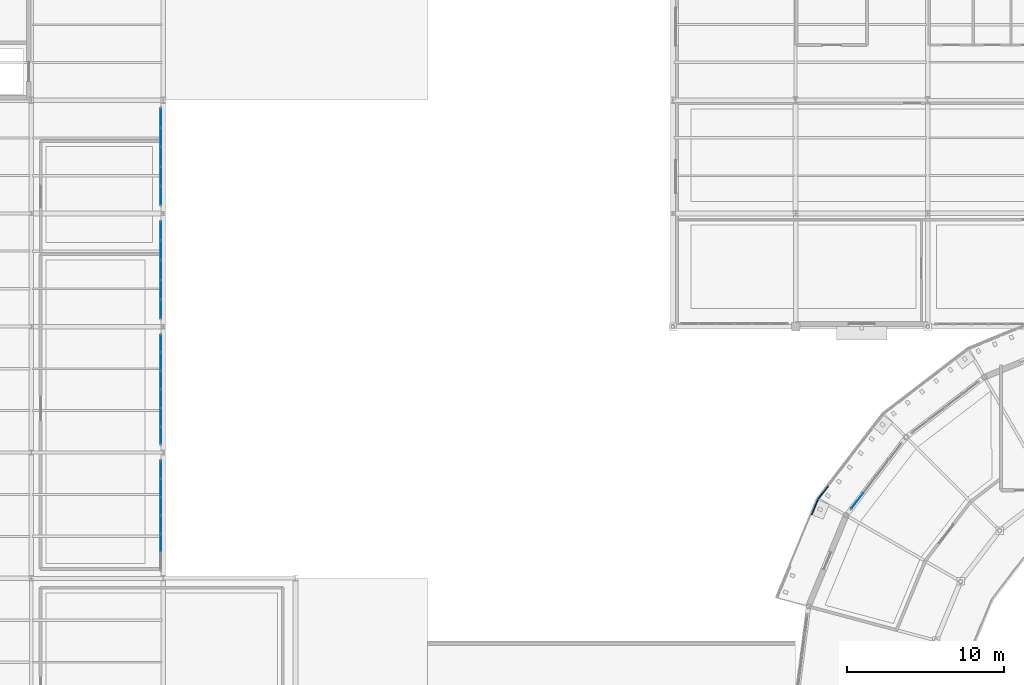
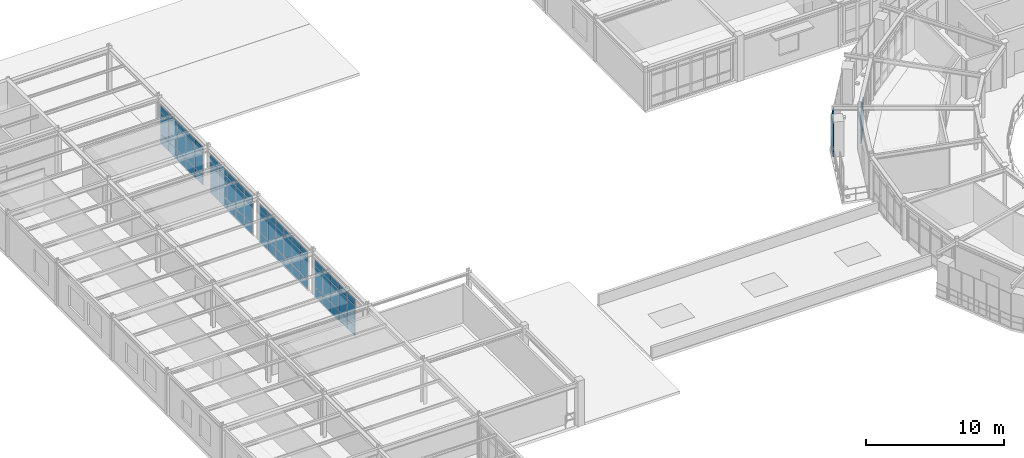
# One storey, part 45 of 70: 68 plates, 5 elements without a shape of their own.
"""IFC4 building model written with IfcOpenShell, lengths in metres."""

from ifc_helpers import new_model, si_unit, derived_unit, direction, frame, origin, origin_2d, place, context, subcontext, project, spatial, rectangle, extrude, material, layer, layer_set, type_object, element, aggregate, save


model = new_model("IFC4")

# Units and contexts
model_context = context("Model", 3, precision=1e-05, world=origin(), true_north=direction((0.0, 1.0)))
body_context = subcontext(model_context, "Body", "Model", "MODEL_VIEW")
ifc_project = project(units=[si_unit("LENGTHUNIT", "METRE"), si_unit("AREAUNIT", "SQUARE_METRE"), si_unit("VOLUMEUNIT", "CUBIC_METRE"), si_unit("PLANEANGLEUNIT", "RADIAN"), si_unit("MASSUNIT", "GRAM", prefix="KILO"), derived_unit("THERMALTRANSMITTANCEUNIT", [(si_unit("POWERUNIT", "WATT"), 1), (si_unit("AREAUNIT", "SQUARE_METRE"), -1), (si_unit("THERMODYNAMICTEMPERATUREUNIT", "KELVIN"), -1)])], contexts=[model_context])

# Site, building, storey
site_placement = place(None, origin())
site = spatial("IfcSite", under=ifc_project, at=site_placement, CompositionType="ELEMENT")
building_placement = place(site_placement, origin())
building = spatial("IfcBuilding", under=site, at=building_placement, Name="Yasenodar Specialist Clinic", CompositionType="ELEMENT")
storey_placement = place(building_placement, frame((0.0, 0.0, 13.199951171875)))
storey = spatial("IfcBuildingStorey", under=building, at=storey_placement, Name="L03", CompositionType="ELEMENT", Elevation=13.199951171875)

# Curtain wall, plates
ifc_material_1 = material(Name="Bronze Anodized Aluminium and Triple Low-E Glass", Category="aluminium")
ifc_layer_1 = layer(ifc_material_1, 0.202880859375)
ifc_layer_set_1 = layer_set([ifc_layer_1], Name="Bronze Anodized Aluminium and Triple Low-E Glass")
curtain_wall_type_1 = type_object("IfcCurtainWallType", Name="CW-SYS-04", PredefinedType="USERDEFINED", material=ifc_layer_set_1)
curtain_wall_1_placement = place(storey_placement, origin())
curtain_wall_1 = element("IfcCurtainWall", 1, at=curtain_wall_1_placement, inside=storey, type_object=curtain_wall_type_1, Name="L03 Unitised Curtain Wall 132", ObjectType="UNITISED CURTAIN WALL", PredefinedType="USERDEFINED")
ifc_material_2 = material(Name="Triple Low-E Argon Glazing", Category="glass")
ifc_layer_2 = layer(ifc_material_2, 0.028076171875)
ifc_layer_set_2 = layer_set([ifc_layer_2], Name="Triple Low-E Argon Glazing")
plate_type_1 = type_object("IfcPlateType", Name="CW-PAN-1", PredefinedType="CURTAIN_PANEL", material=ifc_layer_set_2)
plate_1_placement = place(storey_placement, frame((16.64990234375, 88.881103515625, 0.06005859375), z_axis=(0.0, 0.0, 1.0), x_axis=(0.0, -1.0, 0.0)))
plate_1 = element("IfcPlate", 2, at=plate_1_placement, type_object=plate_type_1, Name="CW-04 panel 1.1", PredefinedType="CURTAIN_PANEL", context=body_context, shape_type="SweptSolid", body=[
    extrude(rectangle(XDim=1.157958984375, YDim=0.028076171875, at=origin_2d()), origin(), (0.0, 0.0, 1.0), 0.81005859375),
])
plate_2_placement = place(storey_placement, frame((16.64990234375, 88.881103515625, 0.93017578125), z_axis=(0.0, 0.0, 1.0), x_axis=(0.0, -1.0, 0.0)))
plate_2 = element("IfcPlate", 3, at=plate_2_placement, type_object=plate_type_1, Name="CW-04 panel 1.2", PredefinedType="CURTAIN_PANEL", context=body_context, shape_type="SweptSolid", body=[
    extrude(rectangle(XDim=1.157958984375, YDim=0.028076171875, at=origin_2d()), origin(), (0.0, 0.0, 1.0), 1.91796875),
])
plate_3_placement = place(storey_placement, frame((16.64990234375, 88.881103515625, 2.908203125), z_axis=(0.0, 0.0, 1.0), x_axis=(0.0, -1.0, 0.0)))
plate_3 = element("IfcPlate", 4, at=plate_3_placement, type_object=plate_type_1, Name="CW-04 panel 1.3", PredefinedType="CURTAIN_PANEL", context=body_context, shape_type="SweptSolid", body=[
    extrude(rectangle(XDim=1.157958984375, YDim=0.028076171875, at=origin_2d()), origin(), (0.0, 0.0, 1.0), 0.510009765625),
])
plate_4_placement = place(storey_placement, frame((16.64990234375, 87.64794921875, 0.06005859375), z_axis=(0.0, 0.0, 1.0), x_axis=(0.0, -1.0, 0.0)))
plate_4 = element("IfcPlate", 5, at=plate_4_placement, type_object=plate_type_1, Name="CW-04 panel 2.1", PredefinedType="CURTAIN_PANEL", context=body_context, shape_type="SweptSolid", body=[
    extrude(rectangle(XDim=1.18798828125, YDim=0.028076171875, at=origin_2d()), origin(), (0.0, 0.0, 1.0), 0.81005859375),
])
plate_5_placement = place(storey_placement, frame((16.64990234375, 87.64794921875, 0.93017578125), z_axis=(0.0, 0.0, 1.0), x_axis=(0.0, -1.0, 0.0)))
plate_5 = element("IfcPlate", 6, at=plate_5_placement, type_object=plate_type_1, Name="CW-04 panel 2.2", PredefinedType="CURTAIN_PANEL", context=body_context, shape_type="SweptSolid", body=[
    extrude(rectangle(XDim=1.18798828125, YDim=0.028076171875, at=origin_2d()), origin(), (0.0, 0.0, 1.0), 1.91796875),
])
plate_6_placement = place(storey_placement, frame((16.64990234375, 87.64794921875, 2.908203125), z_axis=(0.0, 0.0, 1.0), x_axis=(0.0, -1.0, 0.0)))
plate_6 = element("IfcPlate", 7, at=plate_6_placement, type_object=plate_type_1, Name="CW-04 panel 2.3", PredefinedType="CURTAIN_PANEL", context=body_context, shape_type="SweptSolid", body=[
    extrude(rectangle(XDim=1.18798828125, YDim=0.028076171875, at=origin_2d()), origin(), (0.0, 0.0, 1.0), 0.510009765625),
])
plate_7_placement = place(storey_placement, frame((16.64990234375, 86.39990234375, 0.06005859375), z_axis=(0.0, 0.0, 1.0), x_axis=(0.0, -1.0, 0.0)))
plate_7 = element("IfcPlate", 8, at=plate_7_placement, type_object=plate_type_1, Name="CW-04 panel 3.1", PredefinedType="CURTAIN_PANEL", context=body_context, shape_type="SweptSolid", body=[
    extrude(rectangle(XDim=1.18798828125, YDim=0.028076171875, at=origin_2d()), origin(), (0.0, 0.0, 1.0), 0.81005859375),
])
plate_8_placement = place(storey_placement, frame((16.64990234375, 86.39990234375, 0.93017578125), z_axis=(0.0, 0.0, 1.0), x_axis=(0.0, -1.0, 0.0)))
plate_8 = element("IfcPlate", 9, at=plate_8_placement, type_object=plate_type_1, Name="CW-04 panel 3.2", PredefinedType="CURTAIN_PANEL", context=body_context, shape_type="SweptSolid", body=[
    extrude(rectangle(XDim=1.18798828125, YDim=0.028076171875, at=origin_2d()), origin(), (0.0, 0.0, 1.0), 1.91796875),
])
plate_9_placement = place(storey_placement, frame((16.64990234375, 86.39990234375, 2.908203125), z_axis=(0.0, 0.0, 1.0), x_axis=(0.0, -1.0, 0.0)))
plate_9 = element("IfcPlate", 10, at=plate_9_placement, type_object=plate_type_1, Name="CW-04 panel 3.3", PredefinedType="CURTAIN_PANEL", context=body_context, shape_type="SweptSolid", body=[
    extrude(rectangle(XDim=1.18798828125, YDim=0.028076171875, at=origin_2d()), origin(), (0.0, 0.0, 1.0), 0.510009765625),
])
plate_10_placement = place(storey_placement, frame((16.64990234375, 85.152099609375, 0.06005859375), z_axis=(0.0, 0.0, 1.0), x_axis=(0.0, -1.0, 0.0)))
plate_10 = element("IfcPlate", 11, at=plate_10_placement, type_object=plate_type_1, Name="CW-04 panel 4.1", PredefinedType="CURTAIN_PANEL", context=body_context, shape_type="SweptSolid", body=[
    extrude(rectangle(XDim=1.18798828125, YDim=0.028076171875, at=origin_2d()), origin(), (0.0, 0.0, 1.0), 0.81005859375),
])
plate_11_placement = place(storey_placement, frame((16.64990234375, 85.152099609375, 0.93017578125), z_axis=(0.0, 0.0, 1.0), x_axis=(0.0, -1.0, 0.0)))
plate_11 = element("IfcPlate", 12, at=plate_11_placement, type_object=plate_type_1, Name="CW-04 panel 4.2", PredefinedType="CURTAIN_PANEL", context=body_context, shape_type="SweptSolid", body=[
    extrude(rectangle(XDim=1.18798828125, YDim=0.028076171875, at=origin_2d()), origin(), (0.0, 0.0, 1.0), 1.91796875),
])
plate_12_placement = place(storey_placement, frame((16.64990234375, 85.152099609375, 2.908203125), z_axis=(0.0, 0.0, 1.0), x_axis=(0.0, -1.0, 0.0)))
plate_12 = element("IfcPlate", 13, at=plate_12_placement, type_object=plate_type_1, Name="CW-04 panel 4.3", PredefinedType="CURTAIN_PANEL", context=body_context, shape_type="SweptSolid", body=[
    extrude(rectangle(XDim=1.18798828125, YDim=0.028076171875, at=origin_2d()), origin(), (0.0, 0.0, 1.0), 0.510009765625),
])
plate_13_placement = place(storey_placement, frame((16.64990234375, 83.9189453125, 0.06005859375), z_axis=(0.0, 0.0, 1.0), x_axis=(0.0, -1.0, 0.0)))
plate_13 = element("IfcPlate", 14, at=plate_13_placement, type_object=plate_type_1, Name="CW-04 panel 5.1", PredefinedType="CURTAIN_PANEL", context=body_context, shape_type="SweptSolid", body=[
    extrude(rectangle(XDim=1.157958984375, YDim=0.028076171875, at=origin_2d()), origin(), (0.0, 0.0, 1.0), 0.81005859375),
])
plate_14_placement = place(storey_placement, frame((16.64990234375, 83.9189453125, 0.93017578125), z_axis=(0.0, 0.0, 1.0), x_axis=(0.0, -1.0, 0.0)))
plate_14 = element("IfcPlate", 15, at=plate_14_placement, type_object=plate_type_1, Name="CW-04 panel 5.2", PredefinedType="CURTAIN_PANEL", context=body_context, shape_type="SweptSolid", body=[
    extrude(rectangle(XDim=1.157958984375, YDim=0.028076171875, at=origin_2d()), origin(), (0.0, 0.0, 1.0), 1.91796875),
])
plate_15_placement = place(storey_placement, frame((16.64990234375, 83.9189453125, 2.908203125), z_axis=(0.0, 0.0, 1.0), x_axis=(0.0, -1.0, 0.0)))
plate_15 = element("IfcPlate", 16, at=plate_15_placement, type_object=plate_type_1, Name="CW-04 panel 5.3", PredefinedType="CURTAIN_PANEL", context=body_context, shape_type="SweptSolid", body=[
    extrude(rectangle(XDim=1.157958984375, YDim=0.028076171875, at=origin_2d()), origin(), (0.0, 0.0, 1.0), 0.510009765625),
])
aggregate(curtain_wall_1, [plate_1, plate_2, plate_3, plate_4, plate_5, plate_6, plate_7, plate_8, plate_9, plate_10, plate_11, plate_12, plate_13, plate_14, plate_15])

curtain_wall_2_placement = place(storey_placement, origin())
curtain_wall_2 = element("IfcCurtainWall", 17, at=curtain_wall_2_placement, inside=storey, type_object=curtain_wall_type_1, Name="L03 Unitised Curtain Wall 133", ObjectType="UNITISED CURTAIN WALL", PredefinedType="USERDEFINED")
ifc_layer_3 = layer(ifc_material_2, 0.033935546875)
ifc_layer_set_3 = layer_set([ifc_layer_3], Name="Triple Low-E Argon Glazing")
plate_type_2 = type_object("IfcPlateType", Name="CW-PAN-2", PredefinedType="CURTAIN_PANEL", material=ifc_layer_set_3)
plate_16_placement = place(storey_placement, frame((16.64990234375, 81.71826171875, 0.06005859375), z_axis=(0.0, 0.0, 1.0), x_axis=(0.0, -1.0, 0.0)))
plate_16 = element("IfcPlate", 18, at=plate_16_placement, type_object=plate_type_2, Name="CW-04 panel 1.1", PredefinedType="CURTAIN_PANEL", context=body_context, shape_type="SweptSolid", body=[
    extrude(rectangle(XDim=1.083251953125, YDim=0.033935546875, at=origin_2d()), origin(), (0.0, 0.0, 1.0), 0.81005859375),
])
plate_17_placement = place(storey_placement, frame((16.64990234375, 81.71826171875, 0.93017578125), z_axis=(0.0, 0.0, 1.0), x_axis=(0.0, -1.0, 0.0)))
plate_17 = element("IfcPlate", 19, at=plate_17_placement, type_object=plate_type_2, Name="CW-04 panel 1.2", PredefinedType="CURTAIN_PANEL", context=body_context, shape_type="SweptSolid", body=[
    extrude(rectangle(XDim=1.083251953125, YDim=0.033935546875, at=origin_2d()), origin(), (0.0, 0.0, 1.0), 1.8779296875),
])
plate_18_placement = place(storey_placement, frame((16.64990234375, 81.71826171875, 2.8681640625), z_axis=(0.0, 0.0, 1.0), x_axis=(0.0, -1.0, 0.0)))
plate_18 = element("IfcPlate", 20, at=plate_18_placement, type_object=plate_type_2, Name="CW-04 panel 1.3", PredefinedType="CURTAIN_PANEL", context=body_context, shape_type="SweptSolid", body=[
    extrude(rectangle(XDim=1.083251953125, YDim=0.033935546875, at=origin_2d()), origin(), (0.0, 0.0, 1.0), 0.510009765625),
])
plate_19_placement = place(storey_placement, frame((16.64990234375, 80.56005859375, 0.06005859375), z_axis=(0.0, 0.0, 1.0), x_axis=(0.0, -1.0, 0.0)))
plate_19 = element("IfcPlate", 21, at=plate_19_placement, type_object=plate_type_2, Name="CW-04 panel 2.1", PredefinedType="CURTAIN_PANEL", context=body_context, shape_type="SweptSolid", body=[
    extrude(rectangle(XDim=1.11328125, YDim=0.033935546875, at=origin_2d()), origin(), (0.0, 0.0, 1.0), 0.81005859375),
])
plate_20_placement = place(storey_placement, frame((16.64990234375, 80.56005859375, 0.93017578125), z_axis=(0.0, 0.0, 1.0), x_axis=(0.0, -1.0, 0.0)))
plate_20 = element("IfcPlate", 22, at=plate_20_placement, type_object=plate_type_2, Name="CW-04 panel 2.2", PredefinedType="CURTAIN_PANEL", context=body_context, shape_type="SweptSolid", body=[
    extrude(rectangle(XDim=1.11328125, YDim=0.033935546875, at=origin_2d()), origin(), (0.0, 0.0, 1.0), 1.8779296875),
])
plate_21_placement = place(storey_placement, frame((16.64990234375, 80.56005859375, 2.8681640625), z_axis=(0.0, 0.0, 1.0), x_axis=(0.0, -1.0, 0.0)))
plate_21 = element("IfcPlate", 23, at=plate_21_placement, type_object=plate_type_2, Name="CW-04 panel 2.3", PredefinedType="CURTAIN_PANEL", context=body_context, shape_type="SweptSolid", body=[
    extrude(rectangle(XDim=1.11328125, YDim=0.033935546875, at=origin_2d()), origin(), (0.0, 0.0, 1.0), 0.510009765625),
])
plate_22_placement = place(storey_placement, frame((16.64990234375, 79.38671875, 0.06005859375), z_axis=(0.0, 0.0, 1.0), x_axis=(0.0, -1.0, 0.0)))
plate_22 = element("IfcPlate", 24, at=plate_22_placement, type_object=plate_type_2, Name="CW-04 panel 3.1", PredefinedType="CURTAIN_PANEL", context=body_context, shape_type="SweptSolid", body=[
    extrude(rectangle(XDim=1.11328125, YDim=0.033935546875, at=origin_2d()), origin(), (0.0, 0.0, 1.0), 0.81005859375),
])
plate_23_placement = place(storey_placement, frame((16.64990234375, 79.38671875, 0.93017578125), z_axis=(0.0, 0.0, 1.0), x_axis=(0.0, -1.0, 0.0)))
plate_23 = element("IfcPlate", 25, at=plate_23_placement, type_object=plate_type_2, Name="CW-04 panel 3.2", PredefinedType="CURTAIN_PANEL", context=body_context, shape_type="SweptSolid", body=[
    extrude(rectangle(XDim=1.11328125, YDim=0.033935546875, at=origin_2d()), origin(), (0.0, 0.0, 1.0), 1.8779296875),
])
plate_24_placement = place(storey_placement, frame((16.64990234375, 79.38671875, 2.8681640625), z_axis=(0.0, 0.0, 1.0), x_axis=(0.0, -1.0, 0.0)))
plate_24 = element("IfcPlate", 26, at=plate_24_placement, type_object=plate_type_2, Name="CW-04 panel 3.3", PredefinedType="CURTAIN_PANEL", context=body_context, shape_type="SweptSolid", body=[
    extrude(rectangle(XDim=1.11328125, YDim=0.033935546875, at=origin_2d()), origin(), (0.0, 0.0, 1.0), 0.510009765625),
])
plate_25_placement = place(storey_placement, frame((16.64990234375, 78.21337890625, 0.06005859375), z_axis=(0.0, 0.0, 1.0), x_axis=(0.0, -1.0, 0.0)))
plate_25 = element("IfcPlate", 27, at=plate_25_placement, type_object=plate_type_2, Name="CW-04 panel 4.1", PredefinedType="CURTAIN_PANEL", context=body_context, shape_type="SweptSolid", body=[
    extrude(rectangle(XDim=1.11328125, YDim=0.033935546875, at=origin_2d()), origin(), (0.0, 0.0, 1.0), 0.81005859375),
])
plate_26_placement = place(storey_placement, frame((16.64990234375, 78.21337890625, 0.93017578125), z_axis=(0.0, 0.0, 1.0), x_axis=(0.0, -1.0, 0.0)))
plate_26 = element("IfcPlate", 28, at=plate_26_placement, type_object=plate_type_2, Name="CW-04 panel 4.2", PredefinedType="CURTAIN_PANEL", context=body_context, shape_type="SweptSolid", body=[
    extrude(rectangle(XDim=1.11328125, YDim=0.033935546875, at=origin_2d()), origin(), (0.0, 0.0, 1.0), 1.8779296875),
])
plate_27_placement = place(storey_placement, frame((16.64990234375, 78.21337890625, 2.8681640625), z_axis=(0.0, 0.0, 1.0), x_axis=(0.0, -1.0, 0.0)))
plate_27 = element("IfcPlate", 29, at=plate_27_placement, type_object=plate_type_2, Name="CW-04 panel 4.3", PredefinedType="CURTAIN_PANEL", context=body_context, shape_type="SweptSolid", body=[
    extrude(rectangle(XDim=1.11328125, YDim=0.033935546875, at=origin_2d()), origin(), (0.0, 0.0, 1.0), 0.510009765625),
])
plate_28_placement = place(storey_placement, frame((16.64990234375, 77.0400390625, 0.06005859375), z_axis=(0.0, 0.0, 1.0), x_axis=(0.0, -1.0, 0.0)))
plate_28 = element("IfcPlate", 30, at=plate_28_placement, type_object=plate_type_2, Name="CW-04 panel 5.1", PredefinedType="CURTAIN_PANEL", context=body_context, shape_type="SweptSolid", body=[
    extrude(rectangle(XDim=1.11328125, YDim=0.033935546875, at=origin_2d()), origin(), (0.0, 0.0, 1.0), 0.81005859375),
])
plate_29_placement = place(storey_placement, frame((16.64990234375, 77.0400390625, 0.93017578125), z_axis=(0.0, 0.0, 1.0), x_axis=(0.0, -1.0, 0.0)))
plate_29 = element("IfcPlate", 31, at=plate_29_placement, type_object=plate_type_2, Name="CW-04 panel 5.2", PredefinedType="CURTAIN_PANEL", context=body_context, shape_type="SweptSolid", body=[
    extrude(rectangle(XDim=1.11328125, YDim=0.033935546875, at=origin_2d()), origin(), (0.0, 0.0, 1.0), 1.8779296875),
])
plate_30_placement = place(storey_placement, frame((16.64990234375, 77.0400390625, 2.8681640625), z_axis=(0.0, 0.0, 1.0), x_axis=(0.0, -1.0, 0.0)))
plate_30 = element("IfcPlate", 32, at=plate_30_placement, type_object=plate_type_2, Name="CW-04 panel 5.3", PredefinedType="CURTAIN_PANEL", context=body_context, shape_type="SweptSolid", body=[
    extrude(rectangle(XDim=1.11328125, YDim=0.033935546875, at=origin_2d()), origin(), (0.0, 0.0, 1.0), 0.510009765625),
])
plate_31_placement = place(storey_placement, frame((16.64990234375, 75.881591796875, 0.06005859375), z_axis=(0.0, 0.0, 1.0), x_axis=(0.0, -1.0, 0.0)))
plate_31 = element("IfcPlate", 33, at=plate_31_placement, type_object=plate_type_2, Name="CW-04 panel 6.1", PredefinedType="CURTAIN_PANEL", context=body_context, shape_type="SweptSolid", body=[
    extrude(rectangle(XDim=1.083251953125, YDim=0.033935546875, at=origin_2d()), origin(), (0.0, 0.0, 1.0), 0.81005859375),
])
plate_32_placement = place(storey_placement, frame((16.64990234375, 75.881591796875, 0.93017578125), z_axis=(0.0, 0.0, 1.0), x_axis=(0.0, -1.0, 0.0)))
plate_32 = element("IfcPlate", 34, at=plate_32_placement, type_object=plate_type_2, Name="CW-04 panel 6.2", PredefinedType="CURTAIN_PANEL", context=body_context, shape_type="SweptSolid", body=[
    extrude(rectangle(XDim=1.083251953125, YDim=0.033935546875, at=origin_2d()), origin(), (0.0, 0.0, 1.0), 1.8779296875),
])
plate_33_placement = place(storey_placement, frame((16.64990234375, 75.881591796875, 2.8681640625), z_axis=(0.0, 0.0, 1.0), x_axis=(0.0, -1.0, 0.0)))
plate_33 = element("IfcPlate", 35, at=plate_33_placement, type_object=plate_type_2, Name="CW-04 panel 6.3", PredefinedType="CURTAIN_PANEL", context=body_context, shape_type="SweptSolid", body=[
    extrude(rectangle(XDim=1.083251953125, YDim=0.033935546875, at=origin_2d()), origin(), (0.0, 0.0, 1.0), 0.510009765625),
])
aggregate(curtain_wall_2, [plate_16, plate_17, plate_18, plate_19, plate_20, plate_21, plate_22, plate_23, plate_24, plate_25, plate_26, plate_27, plate_28, plate_29, plate_30, plate_31, plate_32, plate_33])

ifc_layer_4 = layer(ifc_material_1, 0.1669921875)
ifc_layer_set_4 = layer_set([ifc_layer_4], Name="Bronze Anodized Aluminium and Triple Low-E Glass")
curtain_wall_type_2 = type_object("IfcCurtainWallType", Name="CW-SYS-01", PredefinedType="USERDEFINED", material=ifc_layer_set_4)
curtain_wall_3_placement = place(storey_placement, origin())
curtain_wall_3 = element("IfcCurtainWall", 36, at=curtain_wall_3_placement, inside=storey, type_object=curtain_wall_type_2, Name="L03 Unitised Curtain Wall 046", ObjectType="UNITISED CURTAIN WALL", PredefinedType="USERDEFINED")
ifc_layer_5 = layer(ifc_material_2, 0.0400390625)
ifc_layer_set_5 = layer_set([ifc_layer_5], Name="Triple Low-E Argon Glazing")
plate_type_3 = type_object("IfcPlateType", Name="CW-PAN-3", PredefinedType="CURTAIN_PANEL", material=ifc_layer_set_5)
plate_34_placement = place(storey_placement, frame((60.92041015625, 71.71875, 0.06005859375), z_axis=(0.0, 0.0, 1.0), x_axis=(0.608752021844, 0.793360558574, 0.0)))
plate_34 = element("IfcPlate", 37, at=plate_34_placement, type_object=plate_type_3, Name="CW-01 panel 1.1", PredefinedType="CURTAIN_PANEL", context=body_context, shape_type="SweptSolid", body=[
    extrude(rectangle(XDim=1.236328125, YDim=0.0400390625, at=origin_2d()), origin(), (0.0, 0.0, 1.0), 0.81005859375),
])
plate_35_placement = place(storey_placement, frame((60.92041015625, 71.71875, 0.93017578125), z_axis=(0.0, 0.0, 1.0), x_axis=(0.608752021844, 0.793360558574, 0.0)))
plate_35 = element("IfcPlate", 38, at=plate_35_placement, type_object=plate_type_3, Name="CW-01 panel 1.2", PredefinedType="CURTAIN_PANEL", context=body_context, shape_type="SweptSolid", body=[
    extrude(rectangle(XDim=1.236328125, YDim=0.0400390625, at=origin_2d()), origin(), (0.0, 0.0, 1.0), 1.827880859375),
])
plate_36_placement = place(storey_placement, frame((60.92041015625, 71.71875, 2.81787109375), z_axis=(0.0, 0.0, 1.0), x_axis=(0.608752021844, 0.793360558574, 0.0)))
plate_36 = element("IfcPlate", 39, at=plate_36_placement, type_object=plate_type_3, Name="CW-01 panel 1.3", PredefinedType="CURTAIN_PANEL", context=body_context, shape_type="SweptSolid", body=[
    extrude(rectangle(XDim=1.236328125, YDim=0.0400390625, at=origin_2d()), origin(), (0.0, 0.0, 1.0), 0.510009765625),
])
aggregate(curtain_wall_3, [plate_34, plate_35, plate_36])

curtain_wall_4_placement = place(storey_placement, origin())
curtain_wall_4 = element("IfcCurtainWall", 40, at=curtain_wall_4_placement, inside=storey, type_object=curtain_wall_type_1, Name="L03 Unitised Curtain Wall 134", ObjectType="UNITISED CURTAIN WALL", PredefinedType="USERDEFINED")
plate_37_placement = place(storey_placement, frame((16.64990234375, 73.71826171875, 0.06005859375), z_axis=(0.0, 0.0, 1.0), x_axis=(0.0, -1.0, 0.0)))
plate_37 = element("IfcPlate", 41, at=plate_37_placement, type_object=plate_type_3, Name="CW-04 panel 1.1", PredefinedType="CURTAIN_PANEL", context=body_context, shape_type="SweptSolid", body=[
    extrude(rectangle(XDim=1.083251953125, YDim=0.0400390625, at=origin_2d()), origin(), (0.0, 0.0, 1.0), 0.81005859375),
])
plate_38_placement = place(storey_placement, frame((16.64990234375, 73.71826171875, 0.93017578125), z_axis=(0.0, 0.0, 1.0), x_axis=(0.0, -1.0, 0.0)))
plate_38 = element("IfcPlate", 42, at=plate_38_placement, type_object=plate_type_3, Name="CW-04 panel 1.2", PredefinedType="CURTAIN_PANEL", context=body_context, shape_type="SweptSolid", body=[
    extrude(rectangle(XDim=1.083251953125, YDim=0.0400390625, at=origin_2d()), origin(), (0.0, 0.0, 1.0), 1.818115234375),
])
plate_39_placement = place(storey_placement, frame((16.64990234375, 73.71826171875, 2.80810546875), z_axis=(0.0, 0.0, 1.0), x_axis=(0.0, -1.0, 0.0)))
plate_39 = element("IfcPlate", 43, at=plate_39_placement, type_object=plate_type_3, Name="CW-04 panel 1.3", PredefinedType="CURTAIN_PANEL", context=body_context, shape_type="SweptSolid", body=[
    extrude(rectangle(XDim=1.083251953125, YDim=0.0400390625, at=origin_2d()), origin(), (0.0, 0.0, 1.0), 0.510009765625),
])
plate_40_placement = place(storey_placement, frame((16.64990234375, 72.56005859375, 0.06005859375), z_axis=(0.0, 0.0, 1.0), x_axis=(0.0, -1.0, 0.0)))
plate_40 = element("IfcPlate", 44, at=plate_40_placement, type_object=plate_type_3, Name="CW-04 panel 2.1", PredefinedType="CURTAIN_PANEL", context=body_context, shape_type="SweptSolid", body=[
    extrude(rectangle(XDim=1.11328125, YDim=0.0400390625, at=origin_2d()), origin(), (0.0, 0.0, 1.0), 0.81005859375),
])
plate_41_placement = place(storey_placement, frame((16.64990234375, 72.56005859375, 0.93017578125), z_axis=(0.0, 0.0, 1.0), x_axis=(0.0, -1.0, 0.0)))
plate_41 = element("IfcPlate", 45, at=plate_41_placement, type_object=plate_type_3, Name="CW-04 panel 2.2", PredefinedType="CURTAIN_PANEL", context=body_context, shape_type="SweptSolid", body=[
    extrude(rectangle(XDim=1.11328125, YDim=0.0400390625, at=origin_2d()), origin(), (0.0, 0.0, 1.0), 1.818115234375),
])
plate_42_placement = place(storey_placement, frame((16.64990234375, 72.56005859375, 2.80810546875), z_axis=(0.0, 0.0, 1.0), x_axis=(0.0, -1.0, 0.0)))
plate_42 = element("IfcPlate", 46, at=plate_42_placement, type_object=plate_type_3, Name="CW-04 panel 2.3", PredefinedType="CURTAIN_PANEL", context=body_context, shape_type="SweptSolid", body=[
    extrude(rectangle(XDim=1.11328125, YDim=0.0400390625, at=origin_2d()), origin(), (0.0, 0.0, 1.0), 0.510009765625),
])
plate_43_placement = place(storey_placement, frame((16.64990234375, 71.38671875, 0.06005859375), z_axis=(0.0, 0.0, 1.0), x_axis=(0.0, -1.0, 0.0)))
plate_43 = element("IfcPlate", 47, at=plate_43_placement, type_object=plate_type_3, Name="CW-04 panel 3.1", PredefinedType="CURTAIN_PANEL", context=body_context, shape_type="SweptSolid", body=[
    extrude(rectangle(XDim=1.11328125, YDim=0.0400390625, at=origin_2d()), origin(), (0.0, 0.0, 1.0), 0.81005859375),
])
plate_44_placement = place(storey_placement, frame((16.64990234375, 71.38671875, 0.93017578125), z_axis=(0.0, 0.0, 1.0), x_axis=(0.0, -1.0, 0.0)))
plate_44 = element("IfcPlate", 48, at=plate_44_placement, type_object=plate_type_3, Name="CW-04 panel 3.2", PredefinedType="CURTAIN_PANEL", context=body_context, shape_type="SweptSolid", body=[
    extrude(rectangle(XDim=1.11328125, YDim=0.0400390625, at=origin_2d()), origin(), (0.0, 0.0, 1.0), 1.818115234375),
])
plate_45_placement = place(storey_placement, frame((16.64990234375, 71.38671875, 2.80810546875), z_axis=(0.0, 0.0, 1.0), x_axis=(0.0, -1.0, 0.0)))
plate_45 = element("IfcPlate", 49, at=plate_45_placement, type_object=plate_type_3, Name="CW-04 panel 3.3", PredefinedType="CURTAIN_PANEL", context=body_context, shape_type="SweptSolid", body=[
    extrude(rectangle(XDim=1.11328125, YDim=0.0400390625, at=origin_2d()), origin(), (0.0, 0.0, 1.0), 0.510009765625),
])
plate_46_placement = place(storey_placement, frame((16.64990234375, 70.21337890625, 0.06005859375), z_axis=(0.0, 0.0, 1.0), x_axis=(0.0, -1.0, 0.0)))
plate_46 = element("IfcPlate", 50, at=plate_46_placement, type_object=plate_type_3, Name="CW-04 panel 4.1", PredefinedType="CURTAIN_PANEL", context=body_context, shape_type="SweptSolid", body=[
    extrude(rectangle(XDim=1.11328125, YDim=0.0400390625, at=origin_2d()), origin(), (0.0, 0.0, 1.0), 0.81005859375),
])
plate_47_placement = place(storey_placement, frame((16.64990234375, 70.21337890625, 0.93017578125), z_axis=(0.0, 0.0, 1.0), x_axis=(0.0, -1.0, 0.0)))
plate_47 = element("IfcPlate", 51, at=plate_47_placement, type_object=plate_type_3, Name="CW-04 panel 4.2", PredefinedType="CURTAIN_PANEL", context=body_context, shape_type="SweptSolid", body=[
    extrude(rectangle(XDim=1.11328125, YDim=0.0400390625, at=origin_2d()), origin(), (0.0, 0.0, 1.0), 1.818115234375),
])
plate_48_placement = place(storey_placement, frame((16.64990234375, 70.21337890625, 2.80810546875), z_axis=(0.0, 0.0, 1.0), x_axis=(0.0, -1.0, 0.0)))
plate_48 = element("IfcPlate", 52, at=plate_48_placement, type_object=plate_type_3, Name="CW-04 panel 4.3", PredefinedType="CURTAIN_PANEL", context=body_context, shape_type="SweptSolid", body=[
    extrude(rectangle(XDim=1.11328125, YDim=0.0400390625, at=origin_2d()), origin(), (0.0, 0.0, 1.0), 0.510009765625),
])
plate_49_placement = place(storey_placement, frame((16.64990234375, 69.0400390625, 0.06005859375), z_axis=(0.0, 0.0, 1.0), x_axis=(0.0, -1.0, 0.0)))
plate_49 = element("IfcPlate", 53, at=plate_49_placement, type_object=plate_type_3, Name="CW-04 panel 5.1", PredefinedType="CURTAIN_PANEL", context=body_context, shape_type="SweptSolid", body=[
    extrude(rectangle(XDim=1.11328125, YDim=0.0400390625, at=origin_2d()), origin(), (0.0, 0.0, 1.0), 0.81005859375),
])
plate_50_placement = place(storey_placement, frame((16.64990234375, 69.0400390625, 0.93017578125), z_axis=(0.0, 0.0, 1.0), x_axis=(0.0, -1.0, 0.0)))
plate_50 = element("IfcPlate", 54, at=plate_50_placement, type_object=plate_type_3, Name="CW-04 panel 5.2", PredefinedType="CURTAIN_PANEL", context=body_context, shape_type="SweptSolid", body=[
    extrude(rectangle(XDim=1.11328125, YDim=0.0400390625, at=origin_2d()), origin(), (0.0, 0.0, 1.0), 1.818115234375),
])
plate_51_placement = place(storey_placement, frame((16.64990234375, 69.0400390625, 2.80810546875), z_axis=(0.0, 0.0, 1.0), x_axis=(0.0, -1.0, 0.0)))
plate_51 = element("IfcPlate", 55, at=plate_51_placement, type_object=plate_type_3, Name="CW-04 panel 5.3", PredefinedType="CURTAIN_PANEL", context=body_context, shape_type="SweptSolid", body=[
    extrude(rectangle(XDim=1.11328125, YDim=0.0400390625, at=origin_2d()), origin(), (0.0, 0.0, 1.0), 0.510009765625),
])
aggregate(curtain_wall_4, [plate_37, plate_38, plate_39, plate_40, plate_41, plate_42, plate_43, plate_44, plate_45, plate_46, plate_47, plate_48, plate_49, plate_50, plate_51])

curtain_wall_5_placement = place(storey_placement, origin())
curtain_wall_5 = element("IfcCurtainWall", 56, at=curtain_wall_5_placement, inside=storey, type_object=curtain_wall_type_1, Name="L03 Unitised Curtain Wall 131", ObjectType="UNITISED CURTAIN WALL", PredefinedType="USERDEFINED")
ifc_layer_6 = layer(ifc_material_2, 0.0458984375)
ifc_layer_set_6 = layer_set([ifc_layer_6], Name="Triple Low-E Argon Glazing")
plate_type_4 = type_object("IfcPlateType", Name="CW-PAN-4", PredefinedType="CURTAIN_PANEL", material=ifc_layer_set_6)
plate_52_placement = place(storey_placement, frame((16.64990234375, 96.0810546875, 0.06005859375), z_axis=(0.0, 0.0, 1.0), x_axis=(0.0, -1.0, 0.0)))
plate_52 = element("IfcPlate", 57, at=plate_52_placement, type_object=plate_type_4, Name="CW-04 panel 1.1", PredefinedType="CURTAIN_PANEL", context=body_context, shape_type="SweptSolid", body=[
    extrude(rectangle(XDim=1.157958984375, YDim=0.0458984375, at=origin_2d()), origin(), (0.0, 0.0, 1.0), 0.81005859375),
])
plate_53_placement = place(storey_placement, frame((16.64990234375, 96.0810546875, 0.93017578125), z_axis=(0.0, 0.0, 1.0), x_axis=(0.0, -1.0, 0.0)))
plate_53 = element("IfcPlate", 58, at=plate_53_placement, type_object=plate_type_4, Name="CW-04 panel 1.2", PredefinedType="CURTAIN_PANEL", context=body_context, shape_type="SweptSolid", body=[
    extrude(rectangle(XDim=1.157958984375, YDim=0.0458984375, at=origin_2d()), origin(), (0.0, 0.0, 1.0), 1.91796875),
])
plate_54_placement = place(storey_placement, frame((16.64990234375, 96.0810546875, 2.908203125), z_axis=(0.0, 0.0, 1.0), x_axis=(0.0, -1.0, 0.0)))
plate_54 = element("IfcPlate", 59, at=plate_54_placement, type_object=plate_type_4, Name="CW-04 panel 1.3", PredefinedType="CURTAIN_PANEL", context=body_context, shape_type="SweptSolid", body=[
    extrude(rectangle(XDim=1.157958984375, YDim=0.0458984375, at=origin_2d()), origin(), (0.0, 0.0, 1.0), 0.510009765625),
])
plate_55_placement = place(storey_placement, frame((16.64990234375, 94.847900390625, 0.06005859375), z_axis=(0.0, 0.0, 1.0), x_axis=(0.0, -1.0, 0.0)))
plate_55 = element("IfcPlate", 60, at=plate_55_placement, type_object=plate_type_4, Name="CW-04 panel 2.1", PredefinedType="CURTAIN_PANEL", context=body_context, shape_type="SweptSolid", body=[
    extrude(rectangle(XDim=1.18798828125, YDim=0.0458984375, at=origin_2d()), origin(), (0.0, 0.0, 1.0), 0.81005859375),
])
plate_56_placement = place(storey_placement, frame((16.64990234375, 94.847900390625, 0.93017578125), z_axis=(0.0, 0.0, 1.0), x_axis=(0.0, -1.0, 0.0)))
plate_56 = element("IfcPlate", 61, at=plate_56_placement, type_object=plate_type_4, Name="CW-04 panel 2.2", PredefinedType="CURTAIN_PANEL", context=body_context, shape_type="SweptSolid", body=[
    extrude(rectangle(XDim=1.18798828125, YDim=0.0458984375, at=origin_2d()), origin(), (0.0, 0.0, 1.0), 1.91796875),
])
plate_57_placement = place(storey_placement, frame((16.64990234375, 94.847900390625, 2.908203125), z_axis=(0.0, 0.0, 1.0), x_axis=(0.0, -1.0, 0.0)))
plate_57 = element("IfcPlate", 62, at=plate_57_placement, type_object=plate_type_4, Name="CW-04 panel 2.3", PredefinedType="CURTAIN_PANEL", context=body_context, shape_type="SweptSolid", body=[
    extrude(rectangle(XDim=1.18798828125, YDim=0.0458984375, at=origin_2d()), origin(), (0.0, 0.0, 1.0), 0.510009765625),
])
plate_58_placement = place(storey_placement, frame((16.64990234375, 93.60009765625, 0.06005859375), z_axis=(0.0, 0.0, 1.0), x_axis=(0.0, -1.0, 0.0)))
plate_58 = element("IfcPlate", 63, at=plate_58_placement, type_object=plate_type_4, Name="CW-04 panel 3.1", PredefinedType="CURTAIN_PANEL", context=body_context, shape_type="SweptSolid", body=[
    extrude(rectangle(XDim=1.18798828125, YDim=0.0458984375, at=origin_2d()), origin(), (0.0, 0.0, 1.0), 0.81005859375),
])
plate_59_placement = place(storey_placement, frame((16.64990234375, 93.60009765625, 0.93017578125), z_axis=(0.0, 0.0, 1.0), x_axis=(0.0, -1.0, 0.0)))
plate_59 = element("IfcPlate", 64, at=plate_59_placement, type_object=plate_type_4, Name="CW-04 panel 3.2", PredefinedType="CURTAIN_PANEL", context=body_context, shape_type="SweptSolid", body=[
    extrude(rectangle(XDim=1.18798828125, YDim=0.0458984375, at=origin_2d()), origin(), (0.0, 0.0, 1.0), 1.91796875),
])
plate_60_placement = place(storey_placement, frame((16.64990234375, 93.60009765625, 2.908203125), z_axis=(0.0, 0.0, 1.0), x_axis=(0.0, -1.0, 0.0)))
plate_60 = element("IfcPlate", 65, at=plate_60_placement, type_object=plate_type_4, Name="CW-04 panel 3.3", PredefinedType="CURTAIN_PANEL", context=body_context, shape_type="SweptSolid", body=[
    extrude(rectangle(XDim=1.18798828125, YDim=0.0458984375, at=origin_2d()), origin(), (0.0, 0.0, 1.0), 0.510009765625),
])
plate_61_placement = place(storey_placement, frame((16.64990234375, 92.35205078125, 0.06005859375), z_axis=(0.0, 0.0, 1.0), x_axis=(0.0, -1.0, 0.0)))
plate_61 = element("IfcPlate", 66, at=plate_61_placement, type_object=plate_type_4, Name="CW-04 panel 4.1", PredefinedType="CURTAIN_PANEL", context=body_context, shape_type="SweptSolid", body=[
    extrude(rectangle(XDim=1.18798828125, YDim=0.0458984375, at=origin_2d()), origin(), (0.0, 0.0, 1.0), 0.81005859375),
])
plate_62_placement = place(storey_placement, frame((16.64990234375, 92.35205078125, 0.93017578125), z_axis=(0.0, 0.0, 1.0), x_axis=(0.0, -1.0, 0.0)))
plate_62 = element("IfcPlate", 67, at=plate_62_placement, type_object=plate_type_4, Name="CW-04 panel 4.2", PredefinedType="CURTAIN_PANEL", context=body_context, shape_type="SweptSolid", body=[
    extrude(rectangle(XDim=1.18798828125, YDim=0.0458984375, at=origin_2d()), origin(), (0.0, 0.0, 1.0), 1.91796875),
])
plate_63_placement = place(storey_placement, frame((16.64990234375, 92.35205078125, 2.908203125), z_axis=(0.0, 0.0, 1.0), x_axis=(0.0, -1.0, 0.0)))
plate_63 = element("IfcPlate", 68, at=plate_63_placement, type_object=plate_type_4, Name="CW-04 panel 4.3", PredefinedType="CURTAIN_PANEL", context=body_context, shape_type="SweptSolid", body=[
    extrude(rectangle(XDim=1.18798828125, YDim=0.0458984375, at=origin_2d()), origin(), (0.0, 0.0, 1.0), 0.510009765625),
])
plate_64_placement = place(storey_placement, frame((16.64990234375, 91.118896484375, 0.06005859375), z_axis=(0.0, 0.0, 1.0), x_axis=(0.0, -1.0, 0.0)))
plate_64 = element("IfcPlate", 69, at=plate_64_placement, type_object=plate_type_4, Name="CW-04 panel 5.1", PredefinedType="CURTAIN_PANEL", context=body_context, shape_type="SweptSolid", body=[
    extrude(rectangle(XDim=1.157958984375, YDim=0.0458984375, at=origin_2d()), origin(), (0.0, 0.0, 1.0), 0.81005859375),
])
plate_65_placement = place(storey_placement, frame((16.64990234375, 91.118896484375, 0.93017578125), z_axis=(0.0, 0.0, 1.0), x_axis=(0.0, -1.0, 0.0)))
plate_65 = element("IfcPlate", 70, at=plate_65_placement, type_object=plate_type_4, Name="CW-04 panel 5.2", PredefinedType="CURTAIN_PANEL", context=body_context, shape_type="SweptSolid", body=[
    extrude(rectangle(XDim=1.157958984375, YDim=0.0458984375, at=origin_2d()), origin(), (0.0, 0.0, 1.0), 1.91796875),
])
plate_66_placement = place(storey_placement, frame((16.64990234375, 91.118896484375, 2.908203125), z_axis=(0.0, 0.0, 1.0), x_axis=(0.0, -1.0, 0.0)))
plate_66 = element("IfcPlate", 71, at=plate_66_placement, type_object=plate_type_4, Name="CW-04 panel 5.3", PredefinedType="CURTAIN_PANEL", context=body_context, shape_type="SweptSolid", body=[
    extrude(rectangle(XDim=1.157958984375, YDim=0.0458984375, at=origin_2d()), origin(), (0.0, 0.0, 1.0), 0.510009765625),
])
aggregate(curtain_wall_5, [plate_52, plate_53, plate_54, plate_55, plate_56, plate_57, plate_58, plate_59, plate_60, plate_61, plate_62, plate_63, plate_64, plate_65, plate_66])

# Plates
ifc_material_3 = material(Name="Thermally Modified Larch and Bronze Girih Jali Screen")
ifc_layer_7 = layer(ifc_material_3, 0.06494140625)
ifc_layer_set_7 = layer_set([ifc_layer_7], Name="Thermally Modified Larch and Bronze Girih Jali Screen")
plate_type_5 = type_object("IfcPlateType", Name="PL-JALI-850", PredefinedType="USERDEFINED", material=ifc_layer_set_7)
for number, where, z_axis, x_axis, name in (
    (72, (58.76806640625, 72.26708984375, 0.0048828125), (0.0, 0.0, 1.0), (-0.608764217148, -0.793351200869, 0.0), "L03 Sliding Timber-Bronze Jali Shutter Screen 0267"),
    (73, (58.22119140625, 71.31982421875, 0.0048828125), (0.0, 0.0, 1.0), (-0.382686667195, -0.923878192594, 0.0), "L03 Sliding Timber-Bronze Jali Shutter Screen 0268"),
):
    element("IfcPlate", number, at=place(storey_placement, frame(where, z_axis=z_axis, x_axis=x_axis)), inside=storey, type_object=plate_type_5, Name=name, ObjectType="SCREEN_PANEL", PredefinedType="USERDEFINED", context=body_context, shape_type="SweptSolid", body=[
        extrude(rectangle(XDim=1.0400390625, YDim=0.06494140625, at=origin_2d()), origin(), (0.0, 0.0, 1.0), 2.949951171875),
    ])

save(model, "model.ifc")
